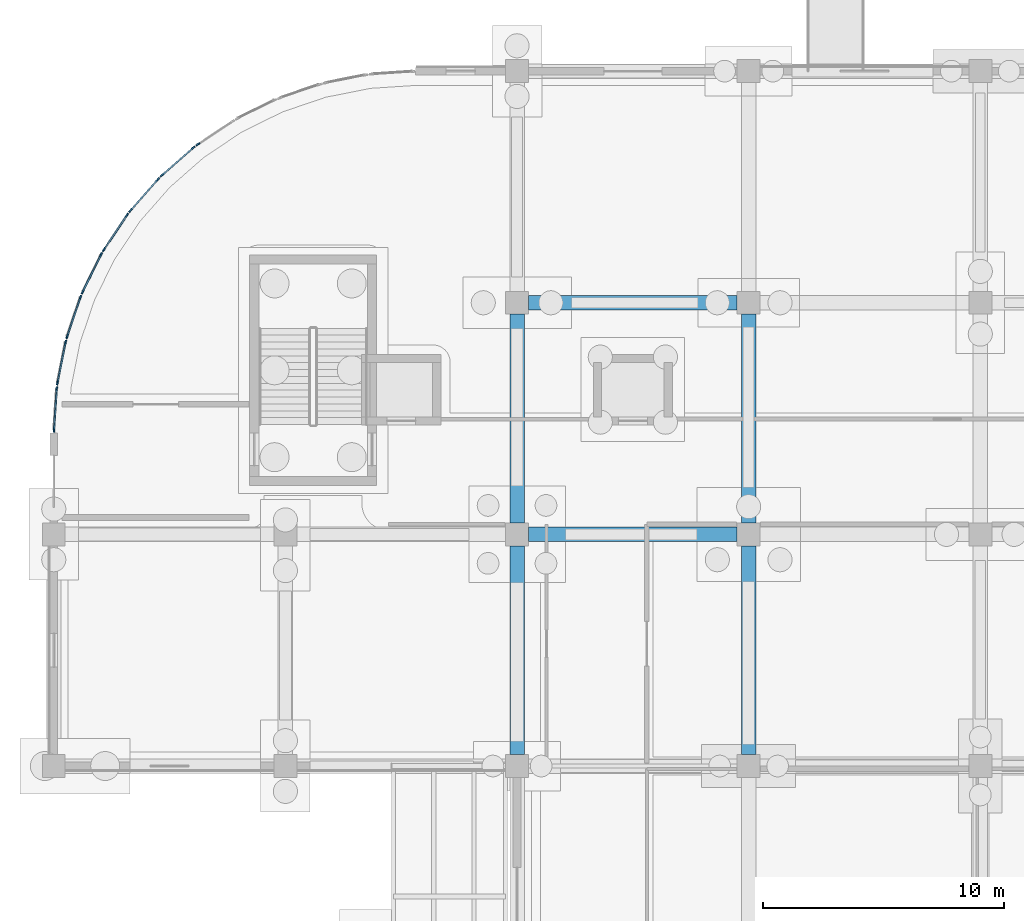
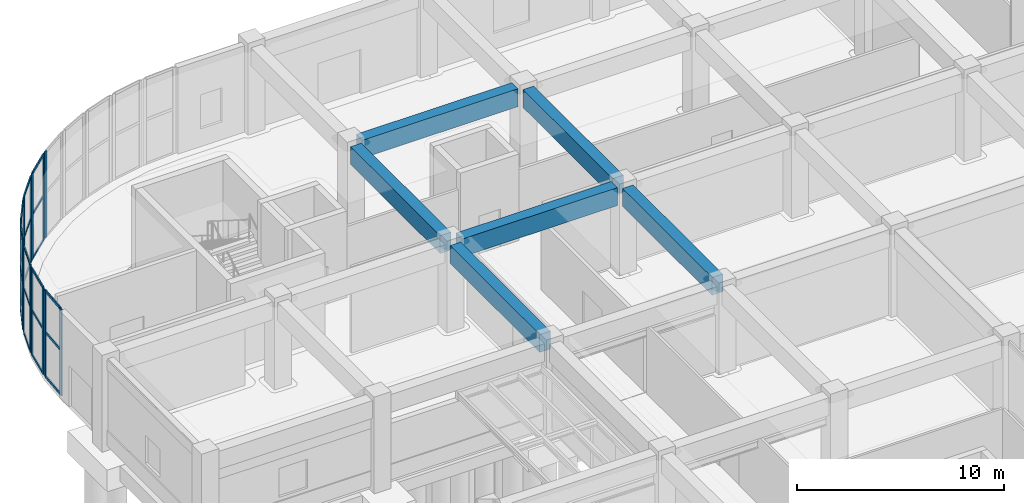
# One storey, part 13 of 74: 36 members, 6 beams, 8 elements without a shape of their own.
"""IFC4 building model written with IfcOpenShell, lengths in metres."""

from ifc_helpers import new_model, si_unit, direction, frame, origin, origin_2d, place, context, subcontext, project, spatial, rectangle, extrude, material, layer, layer_set, material_profile, profile_set, type_object, element, aggregate, save


model = new_model("IFC4")

# Units and contexts
model_context = context("Model", 3, precision=1e-05, world=origin(), true_north=direction((0.0, 1.0)))
body_context = subcontext(model_context, "Body", "Model", "MODEL_VIEW")
ifc_project = project(units=[si_unit("LENGTHUNIT", "METRE"), si_unit("AREAUNIT", "SQUARE_METRE"), si_unit("VOLUMEUNIT", "CUBIC_METRE"), si_unit("PLANEANGLEUNIT", "RADIAN"), si_unit("MASSUNIT", "GRAM", prefix="KILO")], contexts=[model_context])

# Site, building, storey
site_placement = place(None, origin())
site = spatial("IfcSite", under=ifc_project, at=site_placement, CompositionType="ELEMENT")
building_placement = place(site_placement, origin())
building = spatial("IfcBuilding", under=site, at=building_placement, Name="Cendralis Terraced Arcade", CompositionType="ELEMENT")
storey_placement = place(building_placement, origin())
storey = spatial("IfcBuildingStorey", under=building, at=storey_placement, Name="L00", CompositionType="ELEMENT", Elevation=0.0)

# Beams
ifc_material_1 = material(Name="Concrete f'c 35 MPa", Category="concrete")
ifc_material_profile_1 = material_profile(ifc_material_1, rectangle(XDim=0.60009765625, YDim=1.050048828125, at=origin_2d()), Name="RC-BM-600x1050", Category="LoadBearing")
ifc_profile_set_1 = profile_set([ifc_material_profile_1], Name="Concrete f'c 35 MPa")
beam_type = type_object("IfcBeamType", Name="BM-600x1050", PredefinedType="JOIST", material=ifc_profile_set_1)
for number, where, z_axis, x_axis, name in (
    (1, (19.675048828125, 69.60009765625, 4.56494140625), (1.0, 0.0, 0.0), (0.0, 1.0, 0.0), "Reinforced Concrete Frame Beam BM-X-L01-H-3_4"),
    (2, (19.675048828125, 79.199951171875, 4.56494140625), (1.0, 0.0, 0.0), (0.0, 1.0, 0.0), "Reinforced Concrete Frame Beam BM-X-L01-J-3_4"),
    (3, (19.199951171875, 60.47509765625, 4.56494140625), (0.0, 1.0, 0.0), (-1.0, 0.0, 0.0), "Reinforced Concrete Frame Beam BM-Y-L01-3-G_H"),
):
    element("IfcBeam", number, at=place(storey_placement, frame(where, z_axis=z_axis, x_axis=x_axis)), inside=storey, type_object=beam_type, Name=name, PredefinedType="JOIST", context=body_context, shape_type="SweptSolid", body=[
        extrude(rectangle(XDim=0.60009765625, YDim=1.050048828125, at=origin_2d()), origin(), (0.0, 0.0, 1.0), 8.64990234375),
    ])
beam_1_placement = place(storey_placement, frame((19.199951171875, 70.074951171875, 4.56494140625), z_axis=(0.0, 1.0, 0.0), x_axis=(-1.0, 0.0, 0.0)))
element("IfcBeam", 4, at=beam_1_placement, inside=storey, type_object=beam_type, Name="Reinforced Concrete Frame Beam BM-Y-L01-3-H_J", PredefinedType="JOIST", context=body_context, shape_type="SweptSolid", body=[
    extrude(rectangle(XDim=0.60009765625, YDim=1.050048828125, at=origin_2d()), origin(), (0.0, 0.0, 1.0), 8.650146484375),
])
beam_2_placement = place(storey_placement, frame((28.800048828125, 60.47509765625, 4.56494140625), z_axis=(0.0, 1.0, 0.0), x_axis=(-1.0, 0.0, 0.0)))
element("IfcBeam", 5, at=beam_2_placement, inside=storey, type_object=beam_type, Name="Reinforced Concrete Frame Beam BM-Y-L01-4-G_H", PredefinedType="JOIST", context=body_context, shape_type="SweptSolid", body=[
    extrude(rectangle(XDim=0.60009765625, YDim=1.050048828125, at=origin_2d()), origin(), (0.0, 0.0, 1.0), 8.64990234375),
])
beam_3_placement = place(storey_placement, frame((28.800048828125, 70.074951171875, 4.56494140625), z_axis=(0.0, 1.0, 0.0), x_axis=(-1.0, 0.0, 0.0)))
element("IfcBeam", 6, at=beam_3_placement, inside=storey, type_object=beam_type, Name="Reinforced Concrete Frame Beam BM-Y-L01-4-H_J", PredefinedType="JOIST", context=body_context, shape_type="SweptSolid", body=[
    extrude(rectangle(XDim=0.60009765625, YDim=1.050048828125, at=origin_2d()), origin(), (0.0, 0.0, 1.0), 8.650146484375),
])

# Curtain wall, members
ifc_material_2 = material(Name="Anodised aluminium EN AW-6063 T6", Category="aluminium")
ifc_layer = layer(ifc_material_2, 0.179931640625, Name="CW-UNIT-A")
ifc_layer_set = layer_set([ifc_layer], Name="Anodised aluminium EN AW-6063 T6")
curtain_wall_type = type_object("IfcCurtainWallType", Name="CW-UNIT-A", PredefinedType="USERDEFINED", material=ifc_layer_set)
curtain_wall_1_placement = place(storey_placement, origin())
curtain_wall_1 = element("IfcCurtainWall", 7, at=curtain_wall_1_placement, inside=storey, type_object=curtain_wall_type, Name="Exterior Unitised Facade CW-L00-0013", ObjectType="UNITISED FACADE", PredefinedType="USERDEFINED")
ifc_material_profile_2 = material_profile(ifc_material_2, rectangle(XDim=0.06494140625, YDim=0.179931640625, at=origin_2d()), Name="ALU-MUL-65x180")
ifc_profile_set_2 = profile_set([ifc_material_profile_2], Name="Anodised aluminium EN AW-6063 T6")
member_type_1 = type_object("IfcMemberType", Name="CW-UNIT-A-MUL", PredefinedType="MULLION", material=ifc_profile_set_2)
member_1_placement = place(storey_placement, frame((0.008056640625, 73.922119140625, 0.0), z_axis=(0.0, 0.0, 1.0), x_axis=(-0.997860971336, 0.065371873798, 0.0)))
member_1 = element("IfcMember", 8, at=member_1_placement, type_object=member_type_1, Name="CW-U1 mullion 1", PredefinedType="MULLION", context=body_context, shape_type="SweptSolid", body=[
    extrude(rectangle(XDim=0.06494140625, YDim=0.179931640625, at=origin_2d()), origin(), (0.0, 0.0, 1.0), 5.090087890625),
])
member_2_placement = place(storey_placement, frame((0.120361328125, 75.6357421875, 0.0), z_axis=(0.0, 0.0, 1.0), x_axis=(-0.997860971336, 0.065371873798, 0.0)))
member_2 = element("IfcMember", 9, at=member_2_placement, type_object=member_type_1, Name="CW-U1 mullion 2", PredefinedType="MULLION", context=body_context, shape_type="SweptSolid", body=[
    extrude(rectangle(XDim=0.06494140625, YDim=0.179931640625, at=origin_2d()), origin(), (0.0, 0.0, 1.0), 5.090087890625),
])

curtain_wall_2_placement = place(storey_placement, origin())
curtain_wall_2 = element("IfcCurtainWall", 10, at=curtain_wall_2_placement, inside=storey, type_object=curtain_wall_type, Name="Exterior Unitised Facade CW-L00-0014", ObjectType="UNITISED FACADE", PredefinedType="USERDEFINED")
member_3_placement = place(storey_placement, frame((0.15234375, 75.878173828125, 0.0), z_axis=(0.0, 0.0, 1.0), x_axis=(-0.980791618721, 0.195058454434, 0.0)))
member_3 = element("IfcMember", 11, at=member_3_placement, type_object=member_type_1, Name="CW-U1 mullion 1", PredefinedType="MULLION", context=body_context, shape_type="SweptSolid", body=[
    extrude(rectangle(XDim=0.06494140625, YDim=0.179931640625, at=origin_2d()), origin(), (0.0, 0.0, 1.0), 5.090087890625),
])
member_4_placement = place(storey_placement, frame((0.487060546875, 77.56201171875, 0.0), z_axis=(0.0, 0.0, 1.0), x_axis=(-0.980791618721, 0.195058454434, 0.0)))
member_4 = element("IfcMember", 12, at=member_4_placement, type_object=member_type_1, Name="CW-U1 mullion 2", PredefinedType="MULLION", context=body_context, shape_type="SweptSolid", body=[
    extrude(rectangle(XDim=0.06494140625, YDim=0.179931640625, at=origin_2d()), origin(), (0.0, 0.0, 1.0), 5.090087890625),
])

curtain_wall_3_placement = place(storey_placement, origin())
curtain_wall_3 = element("IfcCurtainWall", 13, at=curtain_wall_3_placement, inside=storey, type_object=curtain_wall_type, Name="Exterior Unitised Facade CW-L00-0015", ObjectType="UNITISED FACADE", PredefinedType="USERDEFINED")
member_5_placement = place(storey_placement, frame((0.550537109375, 77.79833984375, 0.0), z_axis=(0.0, 0.0, 1.0), x_axis=(-0.946923811316, 0.321458077458, 0.0)))
member_5 = element("IfcMember", 14, at=member_5_placement, type_object=member_type_1, Name="CW-U1 mullion 1", PredefinedType="MULLION", context=body_context, shape_type="SweptSolid", body=[
    extrude(rectangle(XDim=0.06494140625, YDim=0.179931640625, at=origin_2d()), origin(), (0.0, 0.0, 1.0), 5.090087890625),
])
member_6_placement = place(storey_placement, frame((1.1025390625, 79.42431640625, 0.0), z_axis=(0.0, 0.0, 1.0), x_axis=(-0.946923811316, 0.321458077458, 0.0)))
member_6 = element("IfcMember", 15, at=member_6_placement, type_object=member_type_1, Name="CW-U1 mullion 2", PredefinedType="MULLION", context=body_context, shape_type="SweptSolid", body=[
    extrude(rectangle(XDim=0.06494140625, YDim=0.179931640625, at=origin_2d()), origin(), (0.0, 0.0, 1.0), 5.090087890625),
])

curtain_wall_4_placement = place(storey_placement, origin())
curtain_wall_4 = element("IfcCurtainWall", 16, at=curtain_wall_4_placement, inside=storey, type_object=curtain_wall_type, Name="Exterior Unitised Facade CW-L00-0016", ObjectType="UNITISED FACADE", PredefinedType="USERDEFINED")
member_7_placement = place(storey_placement, frame((1.196044921875, 79.650146484375, 0.0), z_axis=(0.0, 0.0, 1.0), x_axis=(-0.896871480419, 0.442291247495, 0.0)))
member_7 = element("IfcMember", 17, at=member_7_placement, type_object=member_type_1, Name="CW-U1 mullion 1", PredefinedType="MULLION", context=body_context, shape_type="SweptSolid", body=[
    extrude(rectangle(XDim=0.06494140625, YDim=0.179931640625, at=origin_2d()), origin(), (0.0, 0.0, 1.0), 5.090087890625),
])
member_8_placement = place(storey_placement, frame((1.955322265625, 81.190185546875, 0.0), z_axis=(0.0, 0.0, 1.0), x_axis=(-0.896871480419, 0.442291247495, 0.0)))
member_8 = element("IfcMember", 18, at=member_8_placement, type_object=member_type_1, Name="CW-U1 mullion 2", PredefinedType="MULLION", context=body_context, shape_type="SweptSolid", body=[
    extrude(rectangle(XDim=0.06494140625, YDim=0.179931640625, at=origin_2d()), origin(), (0.0, 0.0, 1.0), 5.090087890625),
])

curtain_wall_5_placement = place(storey_placement, origin())
curtain_wall_5 = element("IfcCurtainWall", 19, at=curtain_wall_5_placement, inside=storey, type_object=curtain_wall_type, Name="Exterior Unitised Facade CW-L00-0017", ObjectType="UNITISED FACADE", PredefinedType="USERDEFINED")
member_9_placement = place(storey_placement, frame((2.07763671875, 81.40185546875, 0.0), z_axis=(0.0, 0.0, 1.0), x_axis=(-0.831471454125, 0.555567476528, 0.0)))
member_9 = element("IfcMember", 20, at=member_9_placement, type_object=member_type_1, Name="CW-U1 mullion 1", PredefinedType="MULLION", context=body_context, shape_type="SweptSolid", body=[
    extrude(rectangle(XDim=0.06494140625, YDim=0.179931640625, at=origin_2d()), origin(), (0.0, 0.0, 1.0), 5.090087890625),
])
member_10_placement = place(storey_placement, frame((3.03173828125, 82.82958984375, 0.0), z_axis=(0.0, 0.0, 1.0), x_axis=(-0.831471454125, 0.555567476528, 0.0)))
member_10 = element("IfcMember", 21, at=member_10_placement, type_object=member_type_1, Name="CW-U1 mullion 2", PredefinedType="MULLION", context=body_context, shape_type="SweptSolid", body=[
    extrude(rectangle(XDim=0.06494140625, YDim=0.179931640625, at=origin_2d()), origin(), (0.0, 0.0, 1.0), 5.090087890625),
])

curtain_wall_6_placement = place(storey_placement, origin())
curtain_wall_6 = element("IfcCurtainWall", 22, at=curtain_wall_6_placement, inside=storey, type_object=curtain_wall_type, Name="Exterior Unitised Facade CW-L00-0018", ObjectType="UNITISED FACADE", PredefinedType="USERDEFINED")
member_11_placement = place(storey_placement, frame((3.180419921875, 83.0234375, 0.0), z_axis=(0.0, 0.0, 1.0), x_axis=(-0.751804497477, 0.659386076266, 0.0)))
member_11 = element("IfcMember", 23, at=member_11_placement, type_object=member_type_1, Name="CW-U1 mullion 1", PredefinedType="MULLION", context=body_context, shape_type="SweptSolid", body=[
    extrude(rectangle(XDim=0.06494140625, YDim=0.179931640625, at=origin_2d()), origin(), (0.0, 0.0, 1.0), 5.090087890625),
])
member_12_placement = place(storey_placement, frame((4.312744140625, 84.314453125, 0.0), z_axis=(0.0, 0.0, 1.0), x_axis=(-0.751804497477, 0.659386076266, 0.0)))
member_12 = element("IfcMember", 24, at=member_12_placement, type_object=member_type_1, Name="CW-U1 mullion 2", PredefinedType="MULLION", context=body_context, shape_type="SweptSolid", body=[
    extrude(rectangle(XDim=0.06494140625, YDim=0.179931640625, at=origin_2d()), origin(), (0.0, 0.0, 1.0), 5.090087890625),
])

curtain_wall_7_placement = place(storey_placement, origin())
curtain_wall_7 = element("IfcCurtainWall", 25, at=curtain_wall_7_placement, inside=storey, type_object=curtain_wall_type, Name="Exterior Unitised Facade CW-L00-0019", ObjectType="UNITISED FACADE", PredefinedType="USERDEFINED")
member_13_placement = place(storey_placement, frame((4.485595703125, 84.4873046875, 0.0), z_axis=(0.0, 0.0, 1.0), x_axis=(-0.659386076266, 0.751804497477, 0.0)))
member_13 = element("IfcMember", 26, at=member_13_placement, type_object=member_type_1, Name="CW-U1 mullion 1", PredefinedType="MULLION", context=body_context, shape_type="SweptSolid", body=[
    extrude(rectangle(XDim=0.06494140625, YDim=0.179931640625, at=origin_2d()), origin(), (0.0, 0.0, 1.0), 5.090087890625),
])
member_14_placement = place(storey_placement, frame((5.7763671875, 85.61962890625, 0.0), z_axis=(0.0, 0.0, 1.0), x_axis=(-0.659386076266, 0.751804497477, 0.0)))
member_14 = element("IfcMember", 27, at=member_14_placement, type_object=member_type_1, Name="CW-U1 mullion 2", PredefinedType="MULLION", context=body_context, shape_type="SweptSolid", body=[
    extrude(rectangle(XDim=0.06494140625, YDim=0.179931640625, at=origin_2d()), origin(), (0.0, 0.0, 1.0), 5.090087890625),
])

# Curtain wall, member
curtain_wall_8_placement = place(storey_placement, origin())
curtain_wall_8 = element("IfcCurtainWall", 28, at=curtain_wall_8_placement, inside=storey, type_object=curtain_wall_type, Name="Exterior Unitised Facade CW-L00-0020", ObjectType="UNITISED FACADE", PredefinedType="USERDEFINED")
member_15_placement = place(storey_placement, frame((5.970458984375, 85.768310546875, 0.0), z_axis=(0.0, 0.0, 1.0), x_axis=(-0.555567476528, 0.831471454125, 0.0)))
member_15 = element("IfcMember", 29, at=member_15_placement, type_object=member_type_1, Name="CW-U1 mullion 1", PredefinedType="MULLION", context=body_context, shape_type="SweptSolid", body=[
    extrude(rectangle(XDim=0.06494140625, YDim=0.179931640625, at=origin_2d()), origin(), (0.0, 0.0, 1.0), 5.090087890625),
])
aggregate(curtain_wall_8, [member_15])

# Member
ifc_material_profile_3 = material_profile(ifc_material_2, rectangle(XDim=0.06494140625, YDim=0.14990234375, at=origin_2d()), Name="ALU-TRN-65x150")
ifc_profile_set_3 = profile_set([ifc_material_profile_3], Name="Anodised aluminium EN AW-6063 T6")
member_type_2 = type_object("IfcMemberType", Name="CW-UNIT-A-TRN", PredefinedType="USERDEFINED", material=ifc_profile_set_3)
member_16_placement = place(storey_placement, frame((0.01025390625, 73.95458984375, 0.032470703125), z_axis=(0.065312640858, 0.997864850039, 0.0), x_axis=(-0.997864850039, 0.065312640858, 0.0)))
member_16 = element("IfcMember", 30, at=member_16_placement, type_object=member_type_2, Name="CW-U1 transom 1.1", ObjectType="TRANSOM", PredefinedType="USERDEFINED", context=body_context, shape_type="SweptSolid", body=[
    extrude(rectangle(XDim=0.06494140625, YDim=0.14990234375, at=origin_2d()), origin(), (0.0, 0.0, 1.0), 1.652099609375),
])

member_17_placement = place(storey_placement, frame((0.01025390625, 73.95458984375, 2.646728515625), z_axis=(0.065312640858, 0.997864850039, 0.0), x_axis=(-0.997864850039, 0.065312640858, 0.0)))
member_17 = element("IfcMember", 31, at=member_17_placement, type_object=member_type_2, Name="CW-U1 transom 1.2", ObjectType="TRANSOM", PredefinedType="USERDEFINED", context=body_context, shape_type="SweptSolid", body=[
    extrude(rectangle(XDim=0.06494140625, YDim=0.14990234375, at=origin_2d()), origin(), (0.0, 0.0, 1.0), 1.652099609375),
])

member_18_placement = place(storey_placement, frame((0.01025390625, 73.95458984375, 5.0576171875), z_axis=(0.065312640858, 0.997864850039, 0.0), x_axis=(-0.997864850039, 0.065312640858, 0.0)))
member_18 = element("IfcMember", 32, at=member_18_placement, type_object=member_type_2, Name="CW-U1 transom 1.3", ObjectType="TRANSOM", PredefinedType="USERDEFINED", context=body_context, shape_type="SweptSolid", body=[
    extrude(rectangle(XDim=0.06494140625, YDim=0.14990234375, at=origin_2d()), origin(), (0.0, 0.0, 1.0), 1.652099609375),
])

aggregate(curtain_wall_1, [member_1, member_2, member_16, member_17, member_18])

member_19_placement = place(storey_placement, frame((0.15869140625, 75.909912109375, 0.032470703125), z_axis=(0.194922378732, 0.980818671452, 0.0), x_axis=(-0.980818671452, 0.194922378732, 0.0)))
member_19 = element("IfcMember", 33, at=member_19_placement, type_object=member_type_2, Name="CW-U1 transom 1.1", ObjectType="TRANSOM", PredefinedType="USERDEFINED", context=body_context, shape_type="SweptSolid", body=[
    extrude(rectangle(XDim=0.06494140625, YDim=0.14990234375, at=origin_2d()), origin(), (0.0, 0.0, 1.0), 1.652099609375),
])

member_20_placement = place(storey_placement, frame((0.15869140625, 75.909912109375, 2.646728515625), z_axis=(0.194922378732, 0.980818671452, 0.0), x_axis=(-0.980818671452, 0.194922378732, 0.0)))
member_20 = element("IfcMember", 34, at=member_20_placement, type_object=member_type_2, Name="CW-U1 transom 1.2", ObjectType="TRANSOM", PredefinedType="USERDEFINED", context=body_context, shape_type="SweptSolid", body=[
    extrude(rectangle(XDim=0.06494140625, YDim=0.14990234375, at=origin_2d()), origin(), (0.0, 0.0, 1.0), 1.652099609375),
])

member_21_placement = place(storey_placement, frame((0.15869140625, 75.909912109375, 5.0576171875), z_axis=(0.194922378732, 0.980818671452, 0.0), x_axis=(-0.980818671452, 0.194922378732, 0.0)))
member_21 = element("IfcMember", 35, at=member_21_placement, type_object=member_type_2, Name="CW-U1 transom 1.3", ObjectType="TRANSOM", PredefinedType="USERDEFINED", context=body_context, shape_type="SweptSolid", body=[
    extrude(rectangle(XDim=0.06494140625, YDim=0.14990234375, at=origin_2d()), origin(), (0.0, 0.0, 1.0), 1.652099609375),
])

aggregate(curtain_wall_2, [member_3, member_4, member_19, member_20, member_21])

member_22_placement = place(storey_placement, frame((0.560791015625, 77.8291015625, 0.032470703125), z_axis=(0.321542430228, 0.94689517137, 0.0), x_axis=(-0.94689517137, 0.321542430228, 0.0)))
member_22 = element("IfcMember", 36, at=member_22_placement, type_object=member_type_2, Name="CW-U1 transom 1.1", ObjectType="TRANSOM", PredefinedType="USERDEFINED", context=body_context, shape_type="SweptSolid", body=[
    extrude(rectangle(XDim=0.06494140625, YDim=0.14990234375, at=origin_2d()), origin(), (0.0, 0.0, 1.0), 1.652099609375),
])

member_23_placement = place(storey_placement, frame((0.560791015625, 77.8291015625, 2.646728515625), z_axis=(0.321542430228, 0.94689517137, 0.0), x_axis=(-0.94689517137, 0.321542430228, 0.0)))
member_23 = element("IfcMember", 37, at=member_23_placement, type_object=member_type_2, Name="CW-U1 transom 1.2", ObjectType="TRANSOM", PredefinedType="USERDEFINED", context=body_context, shape_type="SweptSolid", body=[
    extrude(rectangle(XDim=0.06494140625, YDim=0.14990234375, at=origin_2d()), origin(), (0.0, 0.0, 1.0), 1.652099609375),
])

member_24_placement = place(storey_placement, frame((0.560791015625, 77.8291015625, 5.0576171875), z_axis=(0.321542430228, 0.94689517137, 0.0), x_axis=(-0.94689517137, 0.321542430228, 0.0)))
member_24 = element("IfcMember", 38, at=member_24_placement, type_object=member_type_2, Name="CW-U1 transom 1.3", ObjectType="TRANSOM", PredefinedType="USERDEFINED", context=body_context, shape_type="SweptSolid", body=[
    extrude(rectangle(XDim=0.06494140625, YDim=0.14990234375, at=origin_2d()), origin(), (0.0, 0.0, 1.0), 1.652099609375),
])

aggregate(curtain_wall_3, [member_5, member_6, member_22, member_23, member_24])

member_25_placement = place(storey_placement, frame((1.21044921875, 79.67919921875, 0.032470703125), z_axis=(0.442300625853, 0.896866855431, 0.0), x_axis=(-0.896866855431, 0.442300625853, 0.0)))
member_25 = element("IfcMember", 39, at=member_25_placement, type_object=member_type_2, Name="CW-U1 transom 1.1", ObjectType="TRANSOM", PredefinedType="USERDEFINED", context=body_context, shape_type="SweptSolid", body=[
    extrude(rectangle(XDim=0.06494140625, YDim=0.14990234375, at=origin_2d()), origin(), (0.0, 0.0, 1.0), 1.652099609375),
])

member_26_placement = place(storey_placement, frame((1.21044921875, 79.67919921875, 2.646728515625), z_axis=(0.442300625853, 0.896866855431, 0.0), x_axis=(-0.896866855431, 0.442300625853, 0.0)))
member_26 = element("IfcMember", 40, at=member_26_placement, type_object=member_type_2, Name="CW-U1 transom 1.2", ObjectType="TRANSOM", PredefinedType="USERDEFINED", context=body_context, shape_type="SweptSolid", body=[
    extrude(rectangle(XDim=0.06494140625, YDim=0.14990234375, at=origin_2d()), origin(), (0.0, 0.0, 1.0), 1.652099609375),
])

member_27_placement = place(storey_placement, frame((1.21044921875, 79.67919921875, 5.0576171875), z_axis=(0.442300625853, 0.896866855431, 0.0), x_axis=(-0.896866855431, 0.442300625853, 0.0)))
member_27 = element("IfcMember", 41, at=member_27_placement, type_object=member_type_2, Name="CW-U1 transom 1.3", ObjectType="TRANSOM", PredefinedType="USERDEFINED", context=body_context, shape_type="SweptSolid", body=[
    extrude(rectangle(XDim=0.06494140625, YDim=0.14990234375, at=origin_2d()), origin(), (0.0, 0.0, 1.0), 1.652099609375),
])

aggregate(curtain_wall_4, [member_7, member_8, member_25, member_26, member_27])

member_28_placement = place(storey_placement, frame((2.095703125, 81.428955078125, 0.032470703125), z_axis=(0.555654720391, 0.831413153436, 0.0), x_axis=(-0.831413153436, 0.555654720391, 0.0)))
member_28 = element("IfcMember", 42, at=member_28_placement, type_object=member_type_2, Name="CW-U1 transom 1.1", ObjectType="TRANSOM", PredefinedType="USERDEFINED", context=body_context, shape_type="SweptSolid", body=[
    extrude(rectangle(XDim=0.06494140625, YDim=0.14990234375, at=origin_2d()), origin(), (0.0, 0.0, 1.0), 1.652099609375),
])

member_29_placement = place(storey_placement, frame((2.095703125, 81.428955078125, 2.646728515625), z_axis=(0.555654720391, 0.831413153436, 0.0), x_axis=(-0.831413153436, 0.555654720391, 0.0)))
member_29 = element("IfcMember", 43, at=member_29_placement, type_object=member_type_2, Name="CW-U1 transom 1.2", ObjectType="TRANSOM", PredefinedType="USERDEFINED", context=body_context, shape_type="SweptSolid", body=[
    extrude(rectangle(XDim=0.06494140625, YDim=0.14990234375, at=origin_2d()), origin(), (0.0, 0.0, 1.0), 1.652099609375),
])

member_30_placement = place(storey_placement, frame((2.095703125, 81.428955078125, 5.0576171875), z_axis=(0.555654720391, 0.831413153436, 0.0), x_axis=(-0.831413153436, 0.555654720391, 0.0)))
member_30 = element("IfcMember", 44, at=member_30_placement, type_object=member_type_2, Name="CW-U1 transom 1.3", ObjectType="TRANSOM", PredefinedType="USERDEFINED", context=body_context, shape_type="SweptSolid", body=[
    extrude(rectangle(XDim=0.06494140625, YDim=0.14990234375, at=origin_2d()), origin(), (0.0, 0.0, 1.0), 1.652099609375),
])

aggregate(curtain_wall_5, [member_9, member_10, member_28, member_29, member_30])

member_31_placement = place(storey_placement, frame((3.201904296875, 83.0478515625, 0.032470703125), z_axis=(0.659341117172, 0.751843927425, 0.0), x_axis=(-0.751843927425, 0.659341117172, 0.0)))
member_31 = element("IfcMember", 45, at=member_31_placement, type_object=member_type_2, Name="CW-U1 transom 1.1", ObjectType="TRANSOM", PredefinedType="USERDEFINED", context=body_context, shape_type="SweptSolid", body=[
    extrude(rectangle(XDim=0.06494140625, YDim=0.14990234375, at=origin_2d()), origin(), (0.0, 0.0, 1.0), 1.652099609375),
])

member_32_placement = place(storey_placement, frame((3.201904296875, 83.0478515625, 2.646728515625), z_axis=(0.659341117172, 0.751843927425, 0.0), x_axis=(-0.751843927425, 0.659341117172, 0.0)))
member_32 = element("IfcMember", 46, at=member_32_placement, type_object=member_type_2, Name="CW-U1 transom 1.2", ObjectType="TRANSOM", PredefinedType="USERDEFINED", context=body_context, shape_type="SweptSolid", body=[
    extrude(rectangle(XDim=0.06494140625, YDim=0.14990234375, at=origin_2d()), origin(), (0.0, 0.0, 1.0), 1.652099609375),
])

member_33_placement = place(storey_placement, frame((3.201904296875, 83.0478515625, 5.0576171875), z_axis=(0.659341117172, 0.751843927425, 0.0), x_axis=(-0.751843927425, 0.659341117172, 0.0)))
member_33 = element("IfcMember", 47, at=member_33_placement, type_object=member_type_2, Name="CW-U1 transom 1.3", ObjectType="TRANSOM", PredefinedType="USERDEFINED", context=body_context, shape_type="SweptSolid", body=[
    extrude(rectangle(XDim=0.06494140625, YDim=0.14990234375, at=origin_2d()), origin(), (0.0, 0.0, 1.0), 1.652099609375),
])

aggregate(curtain_wall_6, [member_11, member_12, member_31, member_32, member_33])

member_34_placement = place(storey_placement, frame((4.510009765625, 84.5087890625, 0.032470703125), z_axis=(0.751779677402, 0.659414374006, 0.0), x_axis=(-0.659414374006, 0.751779677402, 0.0)))
member_34 = element("IfcMember", 48, at=member_34_placement, type_object=member_type_2, Name="CW-U1 transom 1.1", ObjectType="TRANSOM", PredefinedType="USERDEFINED", context=body_context, shape_type="SweptSolid", body=[
    extrude(rectangle(XDim=0.06494140625, YDim=0.14990234375, at=origin_2d()), origin(), (0.0, 0.0, 1.0), 1.652099609375),
])

member_35_placement = place(storey_placement, frame((4.510009765625, 84.5087890625, 2.646728515625), z_axis=(0.751779677402, 0.659414374006, 0.0), x_axis=(-0.659414374006, 0.751779677402, 0.0)))
member_35 = element("IfcMember", 49, at=member_35_placement, type_object=member_type_2, Name="CW-U1 transom 1.2", ObjectType="TRANSOM", PredefinedType="USERDEFINED", context=body_context, shape_type="SweptSolid", body=[
    extrude(rectangle(XDim=0.06494140625, YDim=0.14990234375, at=origin_2d()), origin(), (0.0, 0.0, 1.0), 1.652099609375),
])

member_36_placement = place(storey_placement, frame((4.510009765625, 84.5087890625, 5.0576171875), z_axis=(0.751779677402, 0.659414374006, 0.0), x_axis=(-0.659414374006, 0.751779677402, 0.0)))
member_36 = element("IfcMember", 50, at=member_36_placement, type_object=member_type_2, Name="CW-U1 transom 1.3", ObjectType="TRANSOM", PredefinedType="USERDEFINED", context=body_context, shape_type="SweptSolid", body=[
    extrude(rectangle(XDim=0.06494140625, YDim=0.14990234375, at=origin_2d()), origin(), (0.0, 0.0, 1.0), 1.652099609375),
])

aggregate(curtain_wall_7, [member_13, member_14, member_34, member_35, member_36])

save(model, "model.ifc")
